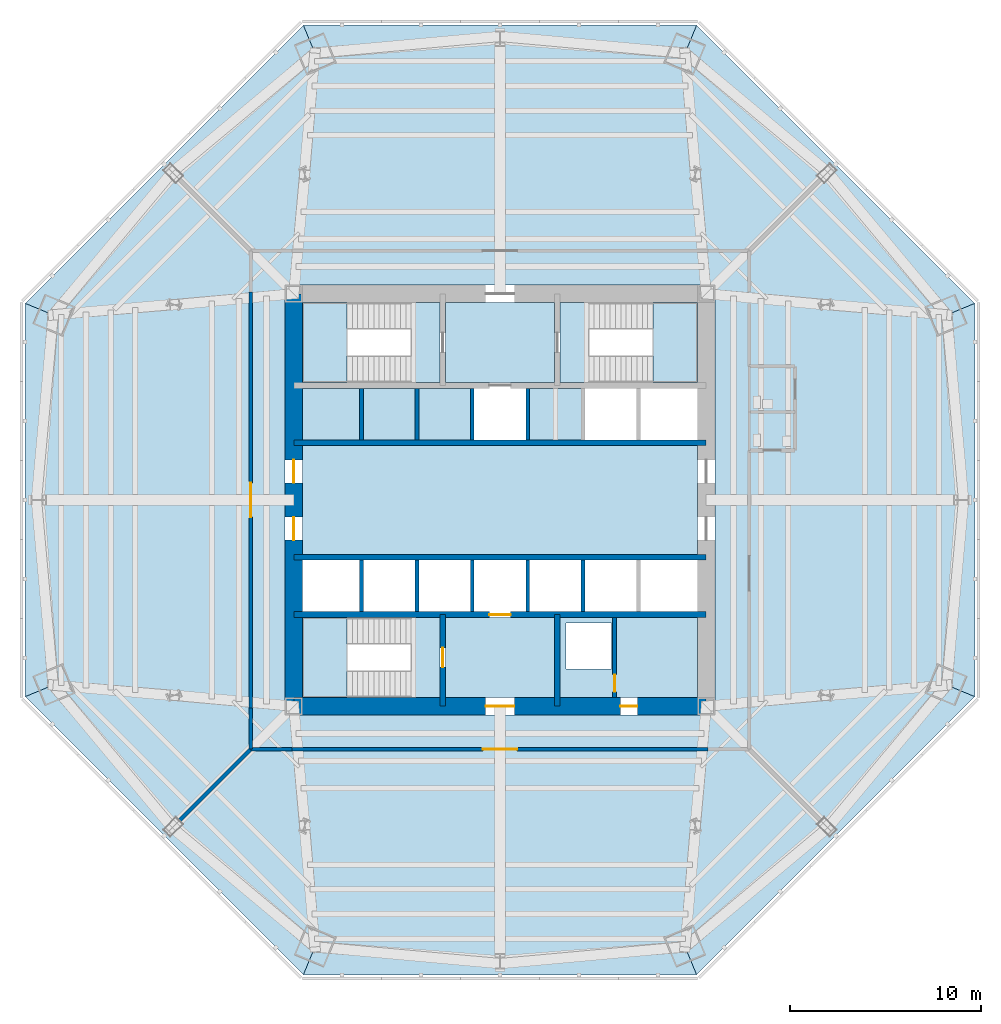
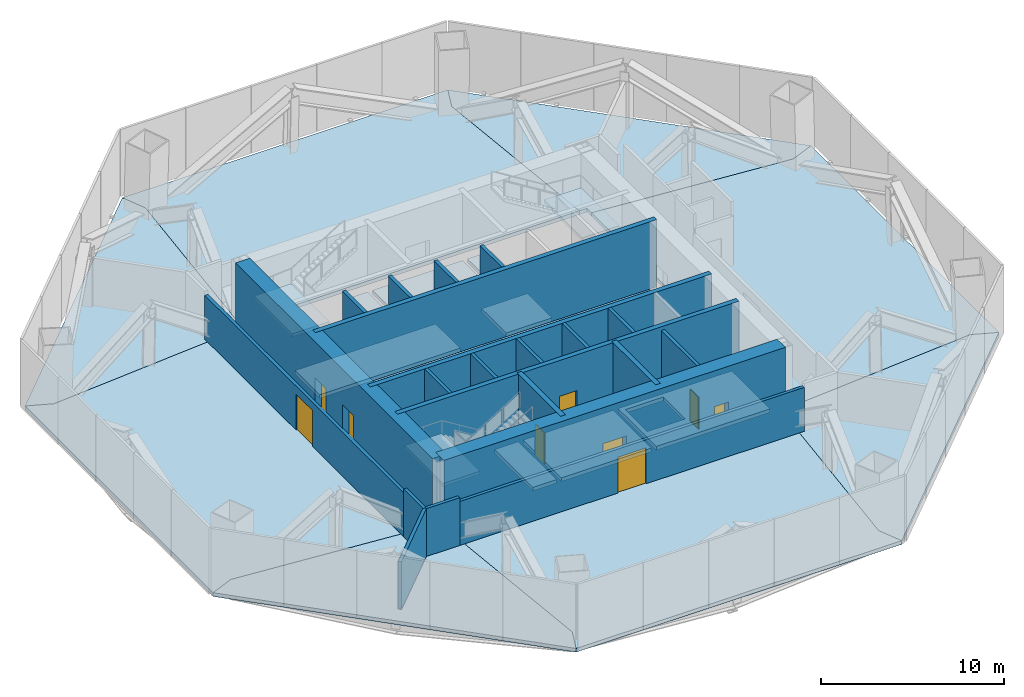
# One storey, part 4 of 9: 22 walls, 20 slabs, 9 doors, 9 openings, 3 elements without a shape of their own.
"""IFC4 building model written with IfcOpenShell, lengths in metres."""

from ifc_helpers import new_model, si_unit, direction, frame, frame_2d, origin, place, context, subcontext, project, spatial, polyline, rectangle, outline, extrude, material, layer, layer_set, type_object, element, fill, aggregate, save


model = new_model("IFC4")

# Units and contexts
model_context = context("Model", 3, precision=1e-05, world=origin(), true_north=direction((0.0, 1.0)))
body_context = subcontext(model_context, "Body", "Model", "MODEL_VIEW")
ifc_project = project(units=[si_unit("LENGTHUNIT", "METRE"), si_unit("AREAUNIT", "SQUARE_METRE"), si_unit("VOLUMEUNIT", "CUBIC_METRE"), si_unit("PLANEANGLEUNIT", "RADIAN"), si_unit("MASSUNIT", "GRAM", prefix="KILO")], contexts=[model_context])

# Site, building, storey
site_placement = place(None, origin())
site = spatial("IfcSite", under=ifc_project, at=site_placement, CompositionType="ELEMENT")
building_placement = place(site_placement, origin())
building = spatial("IfcBuilding", under=site, at=building_placement, Name="Mashrafa Tower", CompositionType="ELEMENT")
storey_placement = place(building_placement, frame((0.0, 0.0, 104.39990234375)))
storey = spatial("IfcBuildingStorey", under=building, at=storey_placement, Name="L23", CompositionType="ELEMENT", Elevation=104.39990234375)

# Slabs
ifc_material_1 = material(Name="Concrete C35/45", Category="concrete")
ifc_layer_1 = layer(ifc_material_1, 0.25)
ifc_layer_set_1 = layer_set([ifc_layer_1], Name="Floor slab 250")
slab_type_1 = type_object("IfcSlabType", Name="Floor slab 250", PredefinedType="FLOOR", material=ifc_layer_set_1)
slab_1_placement = place(storey_placement, frame((0.0, 0.0, -0.25)))
element("IfcSlab", 1, at=slab_1_placement, inside=storey, type_object=slab_type_1, Name="Floor slab L23 east bay", PredefinedType="FLOOR", context=body_context, shape_type="SweptSolid", body=[
    extrude(outline(polyline([(24.861328125, 10.2978515625), (24.861328125, -10.2978515625), (24.861328125, -10.2978515625), (23.390380859375, -9.688720703125), (11.25, -10.76025390625), (11.25, 10.76025390625), (23.390380859375, 9.688720703125), (24.861328125, 10.2978515625), (24.861328125, 10.2978515625)])), origin(), (0.0, 0.0, 1.0), 0.25),
])
slab_2_placement = place(storey_placement, frame((0.0, 0.0, -0.25)))
element("IfcSlab", 2, at=slab_2_placement, inside=storey, type_object=slab_type_1, Name="Floor slab L23 north-east bay", PredefinedType="FLOOR", context=body_context, shape_type="SweptSolid", body=[
    extrude(outline(polyline([(24.861328125, 10.2978515625), (23.390380859375, 9.688720703125), (11.25, 10.76025390625), (11.25, 11.25), (10.76025390625, 11.25), (9.688720703125, 23.390380859375), (10.2978515625, 24.861328125), (24.861328125, 10.2978515625)])), origin(), (0.0, 0.0, 1.0), 0.25),
])
slab_3_placement = place(storey_placement, frame((0.0, 0.0, -0.25)))
element("IfcSlab", 3, at=slab_3_placement, inside=storey, type_object=slab_type_1, Name="Floor slab L23 north bay", PredefinedType="FLOOR", context=body_context, shape_type="SweptSolid", body=[
    extrude(outline(polyline([(-10.2978515625, 24.861328125), (10.2978515625, 24.861328125), (10.2978515625, 24.861328125), (9.688720703125, 23.390380859375), (10.76025390625, 11.25), (-10.76025390625, 11.25), (-9.688720703125, 23.390380859375), (-10.2978515625, 24.861328125), (-10.2978515625, 24.861328125)])), origin(), (0.0, 0.0, 1.0), 0.25),
])
slab_4_placement = place(storey_placement, frame((0.0, 0.0, -0.25)))
element("IfcSlab", 4, at=slab_4_placement, inside=storey, type_object=slab_type_1, Name="Floor slab L23 north-west bay", PredefinedType="FLOOR", context=body_context, shape_type="SweptSolid", body=[
    extrude(outline(polyline([(-10.2978515625, 24.861328125), (-9.688720703125, 23.390380859375), (-10.76025390625, 11.25), (-11.25, 11.25), (-11.25, 10.76025390625), (-23.390380859375, 9.688720703125), (-24.861328125, 10.2978515625), (-10.2978515625, 24.861328125)])), origin(), (0.0, 0.0, 1.0), 0.25),
])
slab_5_placement = place(storey_placement, frame((0.0, 0.0, -0.25)))
element("IfcSlab", 5, at=slab_5_placement, inside=storey, type_object=slab_type_1, Name="Floor slab L23 west bay", PredefinedType="FLOOR", context=body_context, shape_type="SweptSolid", body=[
    extrude(outline(polyline([(-24.861328125, -10.2978515625), (-24.861328125, 10.2978515625), (-24.861328125, 10.2978515625), (-23.390380859375, 9.688720703125), (-11.25, 10.76025390625), (-11.25, -10.76025390625), (-23.390380859375, -9.688720703125), (-24.861328125, -10.2978515625), (-24.861328125, -10.2978515625)])), origin(), (0.0, 0.0, 1.0), 0.25),
])
slab_6_placement = place(storey_placement, frame((0.0, 0.0, -0.25)))
element("IfcSlab", 6, at=slab_6_placement, inside=storey, type_object=slab_type_1, Name="Floor slab L23 south-west bay", PredefinedType="FLOOR", context=body_context, shape_type="SweptSolid", body=[
    extrude(outline(polyline([(-24.861328125, -10.2978515625), (-23.390380859375, -9.688720703125), (-11.25, -10.76025390625), (-11.25, -11.25), (-10.76025390625, -11.25), (-9.688720703125, -23.390380859375), (-10.2978515625, -24.861328125), (-24.861328125, -10.2978515625)])), origin(), (0.0, 0.0, 1.0), 0.25),
])
slab_7_placement = place(storey_placement, frame((0.0, 0.0, -0.25)))
element("IfcSlab", 7, at=slab_7_placement, inside=storey, type_object=slab_type_1, Name="Floor slab L23 south bay", PredefinedType="FLOOR", context=body_context, shape_type="SweptSolid", body=[
    extrude(outline(polyline([(-10.2978515625, -24.861328125), (-10.2978515625, -24.861328125), (-9.688720703125, -23.390380859375), (-10.76025390625, -11.25), (10.76025390625, -11.25), (9.688720703125, -23.390380859375), (10.2978515625, -24.861328125), (10.2978515625, -24.861328125), (-10.2978515625, -24.861328125)])), origin(), (0.0, 0.0, 1.0), 0.25),
])
slab_8_placement = place(storey_placement, frame((0.0, 0.0, -0.25)))
element("IfcSlab", 8, at=slab_8_placement, inside=storey, type_object=slab_type_1, Name="Floor slab L23 south-east bay", PredefinedType="FLOOR", context=body_context, shape_type="SweptSolid", body=[
    extrude(outline(polyline([(10.2978515625, -24.861328125), (9.688720703125, -23.390380859375), (10.76025390625, -11.25), (11.25, -11.25), (11.25, -10.76025390625), (23.390380859375, -9.688720703125), (24.861328125, -10.2978515625), (10.2978515625, -24.861328125)])), origin(), (0.0, 0.0, 1.0), 0.25),
])
slab_9_placement = place(storey_placement, frame((0.0, 0.0, -0.25)))
element("IfcSlab", 9, at=slab_9_placement, inside=storey, type_object=slab_type_1, Name="Core floor lift hall L23", PredefinedType="FLOOR", context=body_context, shape_type="SweptSolid", body=[
    extrude(outline(polyline([(-10.35009765625, 2.85009765625), (10.35009765625, 2.85009765625), (10.35009765625, -2.85009765625), (-10.35009765625, -2.85009765625), (-10.35009765625, 2.85009765625)])), origin(), (0.0, 0.0, 1.0), 0.25),
])
slab_10_placement = place(storey_placement, frame((0.0, 0.0, -0.25)))
element("IfcSlab", 10, at=slab_10_placement, inside=storey, type_object=slab_type_1, Name="Core floor riser and electrical band L23", PredefinedType="FLOOR", context=body_context, shape_type="SweptSolid", body=[
    extrude(outline(polyline([(10.35009765625, -6.14990234375), (10.35009765625, -10.35009765625), (3.14990234375, -10.35009765625), (3.14990234375, -6.14990234375), (10.35009765625, -6.14990234375)]), holes=[polyline([(3.449951171875, -8.85009765625), (5.85009765625, -8.85009765625), (5.85009765625, -6.449951171875), (3.449951171875, -6.449951171875), (3.449951171875, -8.85009765625)])]), origin(), (0.0, 0.0, 1.0), 0.25),
])
slab_11_placement = place(storey_placement, frame((0.0, 0.0, -0.25)))
element("IfcSlab", 11, at=slab_11_placement, inside=storey, type_object=slab_type_1, Name="Core floor lift cell L23", PredefinedType="FLOOR", context=body_context, shape_type="SweptSolid", body=[
    extrude(outline(polyline([(-1.449951171875, 3.14990234375), (-10.35009765625, 3.14990234375), (-10.35009765625, 5.85009765625), (-1.449951171875, 5.85009765625), (-1.449951171875, 3.14990234375)])), origin(), (0.0, 0.0, 1.0), 0.25),
])
slab_12_placement = place(storey_placement, frame((0.0, 0.0, -0.25)))
element("IfcSlab", 12, at=slab_12_placement, inside=storey, type_object=slab_type_1, Name="Core floor fire-fighting lobby north L23", PredefinedType="FLOOR", context=body_context, shape_type="SweptSolid", body=[
    extrude(outline(polyline([(-2.85009765625, 10.35009765625), (2.85009765625, 10.35009765625), (2.85009765625, 6.14990234375), (-2.85009765625, 6.14990234375), (-2.85009765625, 10.35009765625)])), origin(), (0.0, 0.0, 1.0), 0.25),
])
slab_13_placement = place(storey_placement, frame((0.0, 0.0, -0.25)))
element("IfcSlab", 13, at=slab_13_placement, inside=storey, type_object=slab_type_1, Name="Core floor fire-fighting lobby south L23", PredefinedType="FLOOR", context=body_context, shape_type="SweptSolid", body=[
    extrude(outline(polyline([(2.85009765625, -6.14990234375), (2.85009765625, -10.35009765625), (-2.85009765625, -10.35009765625), (-2.85009765625, -6.14990234375), (2.85009765625, -6.14990234375)])), origin(), (0.0, 0.0, 1.0), 0.25),
])
slab_14_placement = place(storey_placement, frame((0.0, 0.0, -0.25)))
element("IfcSlab", 14, at=slab_14_placement, inside=storey, type_object=slab_type_1, Name="Core floor lift cell L23", PredefinedType="FLOOR", context=body_context, shape_type="SweptSolid", body=[
    extrude(outline(polyline([(4.35009765625, 5.85009765625), (4.35009765625, 3.14990234375), (1.449951171875, 3.14990234375), (1.449951171875, 5.85009765625), (4.35009765625, 5.85009765625)])), origin(), (0.0, 0.0, 1.0), 0.25),
])

# Stair, slab
ifc_material_2 = material(Name="Exit stair 1400")
stair_type = type_object("IfcStairType", Name="Exit stair 1400", PredefinedType="HALF_TURN_STAIR", material=ifc_material_2)
stair_1_placement = place(storey_placement, origin())
stair_1 = element("IfcStair", 15, at=stair_1_placement, inside=storey, type_object=stair_type, Name="Stair S1 L23", PredefinedType="HALF_TURN_STAIR")
ifc_material_3 = material(Name="Concrete C32/40", Category="concrete")
ifc_layer_2 = layer(ifc_material_3, 0.199951171875)
ifc_layer_set_2 = layer_set([ifc_layer_2], Name="Stair landing 200")
slab_type_2 = type_object("IfcSlabType", Name="Stair landing 200", PredefinedType="LANDING", material=ifc_layer_set_2)
slab_15_placement = place(storey_placement, frame((0.0, 0.0, 2.050048828125)))
slab_15 = element("IfcSlab", 16, at=slab_15_placement, type_object=slab_type_2, Name="S1 landing 2", PredefinedType="LANDING", context=body_context, shape_type="SweptSolid", body=[
    extrude(outline(polyline([(-10.35009765625, 6.14990234375), (-8.0, 6.14990234375), (-8.0, 10.35009765625), (-10.35009765625, 10.35009765625), (-10.35009765625, 6.14990234375)])), origin(), (0.0, 0.0, 1.0), 0.199951171875),
])

stair_2_placement = place(storey_placement, origin())
stair_2 = element("IfcStair", 17, at=stair_2_placement, inside=storey, type_object=stair_type, Name="Stair S2 L23", PredefinedType="HALF_TURN_STAIR")
slab_16_placement = place(storey_placement, frame((0.0, 0.0, 2.050048828125)))
slab_16 = element("IfcSlab", 18, at=slab_16_placement, type_object=slab_type_2, Name="S2 landing 2", PredefinedType="LANDING", context=body_context, shape_type="SweptSolid", body=[
    extrude(outline(polyline([(8.0, 6.14990234375), (10.35009765625, 6.14990234375), (10.35009765625, 10.35009765625), (8.0, 10.35009765625), (8.0, 6.14990234375)])), origin(), (0.0, 0.0, 1.0), 0.199951171875),
])

stair_3_placement = place(storey_placement, origin())
stair_3 = element("IfcStair", 19, at=stair_3_placement, inside=storey, type_object=stair_type, Name="Stair S3 L23", PredefinedType="HALF_TURN_STAIR")
slab_17_placement = place(storey_placement, frame((0.0, 0.0, 2.050048828125)))
slab_17 = element("IfcSlab", 20, at=slab_17_placement, type_object=slab_type_2, Name="S3 landing 2", PredefinedType="LANDING", context=body_context, shape_type="SweptSolid", body=[
    extrude(outline(polyline([(-10.35009765625, -10.35009765625), (-8.0, -10.35009765625), (-8.0, -6.14990234375), (-10.35009765625, -6.14990234375), (-10.35009765625, -10.35009765625)])), origin(), (0.0, 0.0, 1.0), 0.199951171875),
])

# Slab
ifc_material_4 = material(Name="Concrete C32/40", Category="concrete")
ifc_layer_3 = layer(ifc_material_4, 0.25)
ifc_layer_set_3 = layer_set([ifc_layer_3], Name="Stair landing 250")
slab_type_3 = type_object("IfcSlabType", Name="Stair landing 250", PredefinedType="LANDING", material=ifc_layer_set_3)
slab_18_placement = place(storey_placement, frame((0.0, 0.0, -0.25)))
slab_18 = element("IfcSlab", 21, at=slab_18_placement, type_object=slab_type_3, Name="S1 landing 1", PredefinedType="LANDING", context=body_context, shape_type="SweptSolid", body=[
    extrude(outline(polyline([(-4.659912109375, 6.14990234375), (-3.14990234375, 6.14990234375), (-3.14990234375, 10.35009765625), (-4.659912109375, 10.35009765625), (-4.659912109375, 6.14990234375)])), origin(), (0.0, 0.0, 1.0), 0.25),
])

aggregate(stair_1, [slab_18, slab_15])

slab_19_placement = place(storey_placement, frame((0.0, 0.0, -0.25)))
slab_19 = element("IfcSlab", 22, at=slab_19_placement, type_object=slab_type_3, Name="S2 landing 1", PredefinedType="LANDING", context=body_context, shape_type="SweptSolid", body=[
    extrude(outline(polyline([(3.14990234375, 6.14990234375), (4.659912109375, 6.14990234375), (4.659912109375, 10.35009765625), (3.14990234375, 10.35009765625), (3.14990234375, 6.14990234375)])), origin(), (0.0, 0.0, 1.0), 0.25),
])

aggregate(stair_2, [slab_19, slab_16])

slab_20_placement = place(storey_placement, frame((0.0, 0.0, -0.25)))
slab_20 = element("IfcSlab", 23, at=slab_20_placement, type_object=slab_type_3, Name="S3 landing 1", PredefinedType="LANDING", context=body_context, shape_type="SweptSolid", body=[
    extrude(outline(polyline([(-4.659912109375, -10.35009765625), (-3.14990234375, -10.35009765625), (-3.14990234375, -6.14990234375), (-4.659912109375, -6.14990234375), (-4.659912109375, -10.35009765625)])), origin(), (0.0, 0.0, 1.0), 0.25),
])

aggregate(stair_3, [slab_20, slab_17])

# Wall, opening, door
ifc_material_5 = material(Name="Concrete masonry unit", Category="masonry")
ifc_layer_4 = layer(ifc_material_5, 0.199951171875)
ifc_layer_set_4 = layer_set([ifc_layer_4], Name="Blockwork wall 200 2 hr")
wall_type_1 = type_object("IfcWallType", Name="Blockwork wall 200 2 hr", PredefinedType="PARTITIONING", material=ifc_layer_set_4)
wall_1_placement = place(storey_placement, frame((-13.050048828125, 10.895263671875, 0.0), z_axis=(0.0, 0.0, 1.0), x_axis=(0.0, -1.0, 0.0)))
wall_1 = element("IfcWall", 24, at=wall_1_placement, inside=storey, type_object=wall_type_1, Name="Blockwork wall L23-008", PredefinedType="PARTITIONING", context=body_context, shape_type="SweptSolid", body=[
    extrude(rectangle(XDim=21.79052734375, YDim=0.199951171875, at=frame_2d((10.895263671875, 0.0))), origin(), (0.0, 0.0, 1.0), 2.940185546875),
])
opening_1_placement = place(wall_1_placement, frame((9.995361328125, 0.0, 0.0)))
opening_1 = element("IfcOpeningElement", 25, at=opening_1_placement, cuts=wall_1, Name="Opening 23.004", PredefinedType="OPENING", context=body_context, shape_type="SweptSolid", body=[
    extrude(rectangle(XDim=1.800048828125, YDim=2.39990234375, at=frame_2d((0.89990234375, 1.199951171875))), frame((0.0, 0.10986328125, 0.0), z_axis=(0.0, -1.0, 0.0), x_axis=(1.0, 0.0, 0.0)), (0.0, 0.0, 1.0), 0.219970703125),
])
ifc_material_6 = material(Name="Steel door", Category="steel")
door_type_1 = type_object("IfcDoorType", Name="Door pair 1800 x 2400 90 min", OperationType="DOUBLE_DOOR_SINGLE_SWING", PredefinedType="DOOR", material=ifc_material_6)
door_1_placement = place(opening_1_placement, origin())
door_1 = element("IfcDoor", 26, at=door_1_placement, inside=storey, type_object=door_type_1, Name="Refuge Area L23 West door", OperationType="DOUBLE_DOOR_SINGLE_SWING", OverallHeight=2.39990234375, OverallWidth=1.800048828125, PredefinedType="DOOR", context=body_context, shape_type="SweptSolid", body=[
    extrude(rectangle(XDim=1.800048828125, YDim=2.39990234375, at=frame_2d((0.89990234375, 1.199951171875))), frame((0.0, 0.02490234375, 0.0), z_axis=(0.0, -1.0, 0.0), x_axis=(1.0, 0.0, 0.0)), (0.0, 0.0, 1.0), 0.050048828125),
])
fill(opening_1, door_1)

# Walls
for number, where, z_axis, x_axis, name in (
    (27, (-13.050048828125, -10.897216796875, 0.0), (0.0, 0.0, 1.0), (0.0, -1.0, 0.0), "Blockwork wall L23-009"),
    (28, (-13.050048828125, -13.050048828125, 0.0), (0.0, 0.0, 1.0), (1.0, 0.0, 0.0), "Blockwork wall L23-013"),
):
    element("IfcWall", number, at=place(storey_placement, frame(where, z_axis=z_axis, x_axis=x_axis)), inside=storey, type_object=wall_type_1, Name=name, PredefinedType="PARTITIONING", context=body_context, shape_type="SweptSolid", body=[
        extrude(rectangle(XDim=2.15283203125, YDim=0.199951171875, at=frame_2d((1.076416015625, 0.0))), origin(), (0.0, 0.0, 1.0), 3.19873046875),
    ])

# Wall, opening, door
wall_2_placement = place(storey_placement, frame((-10.895263671875, -13.050048828125, 0.0), z_axis=(0.0, 0.0, 1.0), x_axis=(1.0, 0.0, 0.0)))
wall_2 = element("IfcWall", 29, at=wall_2_placement, inside=storey, type_object=wall_type_1, Name="Blockwork wall L23-014", PredefinedType="PARTITIONING", context=body_context, shape_type="SweptSolid", body=[
    extrude(rectangle(XDim=21.79052734375, YDim=0.199951171875, at=frame_2d((10.895263671875, 0.0))), origin(), (0.0, 0.0, 1.0), 2.940185546875),
])
opening_2_placement = place(wall_2_placement, frame((9.995361328125, 0.0, 0.0)))
opening_2 = element("IfcOpeningElement", 30, at=opening_2_placement, cuts=wall_2, Name="Opening 23.006", PredefinedType="OPENING", context=body_context, shape_type="SweptSolid", body=[
    extrude(rectangle(XDim=1.800048828125, YDim=2.39990234375, at=frame_2d((0.89990234375, 1.199951171875))), frame((0.0, 0.10986328125, 0.0), z_axis=(0.0, -1.0, 0.0), x_axis=(1.0, 0.0, 0.0)), (0.0, 0.0, 1.0), 0.219970703125),
])
door_2_placement = place(opening_2_placement, frame((1.800048828125, 0.0, 0.0), z_axis=(0.0, 0.0, 1.0), x_axis=(-1.0, 0.0, 0.0)))
door_2 = element("IfcDoor", 31, at=door_2_placement, inside=storey, type_object=door_type_1, Name="Air Handling Plant Room L23 door", OperationType="DOUBLE_DOOR_SINGLE_SWING", OverallHeight=2.39990234375, OverallWidth=1.800048828125, PredefinedType="DOOR", context=body_context, shape_type="SweptSolid", body=[
    extrude(rectangle(XDim=1.800048828125, YDim=2.39990234375, at=frame_2d((0.89990234375, 1.199951171875))), frame((0.0, 0.02490234375, 0.0), z_axis=(0.0, -1.0, 0.0), x_axis=(1.0, 0.0, 0.0)), (0.0, 0.0, 1.0), 0.050048828125),
])
fill(opening_2, door_2)

# Wall
wall_3_placement = place(storey_placement, frame((-16.782958984375, -16.782958984375, 0.0), z_axis=(0.0, 0.0, 1.0), x_axis=(0.707106781187, 0.707106781187, 0.0)))
element("IfcWall", 32, at=wall_3_placement, inside=storey, type_object=wall_type_1, Name="Blockwork wall L23-024", PredefinedType="PARTITIONING", context=body_context, shape_type="SweptSolid", body=[
    extrude(rectangle(XDim=5.279052734375, YDim=0.199951171875, at=frame_2d((2.6396484375, 0.0))), origin(), (0.0, 0.0, 1.0), 3.19873046875),
])

# Wall, opening, door
wall_4_placement = place(storey_placement, frame((6.0, -10.35009765625, 0.0), z_axis=(0.0, 0.0, 1.0), x_axis=(0.0, 1.0, 0.0)))
wall_4 = element("IfcWall", 33, at=wall_4_placement, inside=storey, type_object=wall_type_1, Name="Riser enclosure wall L23", PredefinedType="PARTITIONING", context=body_context, shape_type="SweptSolid", body=[
    extrude(rectangle(XDim=4.2001953125, YDim=0.199951171875, at=frame_2d((2.10009765625, 0.0))), origin(), (0.0, 0.0, 1.0), 4.25),
])
opening_3_placement = place(wall_4_placement, frame((0.300048828125, 0.0, 0.0)))
opening_3 = element("IfcOpeningElement", 34, at=opening_3_placement, cuts=wall_4, Name="Opening 23.017", PredefinedType="OPENING", context=body_context, shape_type="SweptSolid", body=[
    extrude(rectangle(XDim=0.89990234375, YDim=2.10009765625, at=frame_2d((0.449951171875, 1.050048828125))), frame((0.0, 0.10986328125, 0.0), z_axis=(0.0, -1.0, 0.0), x_axis=(1.0, 0.0, 0.0)), (0.0, 0.0, 1.0), 0.219970703125),
])
ifc_material_7 = material(Name="Steel door", Category="steel")
door_type_2 = type_object("IfcDoorType", Name="Service door 900 x 2100 90 min", OperationType="USERDEFINED", PredefinedType="DOOR", material=ifc_material_7)
door_3_placement = place(opening_3_placement, origin())
door_3 = element("IfcDoor", 35, at=door_3_placement, inside=storey, type_object=door_type_2, Name="Riser door L23", OperationType="SINGLE_SWING_LEFT", OverallHeight=2.10009765625, OverallWidth=0.89990234375, PredefinedType="DOOR", context=body_context, shape_type="SweptSolid", body=[
    extrude(rectangle(XDim=0.89990234375, YDim=2.10009765625, at=frame_2d((0.449951171875, 1.050048828125))), frame((0.0, 0.02490234375, 0.0), z_axis=(0.0, -1.0, 0.0), x_axis=(1.0, 0.0, 0.0)), (0.0, 0.0, 1.0), 0.050048828125),
])
fill(opening_3, door_3)

# Walls
ifc_material_8 = material(Name="Concrete C60/75", Category="concrete")
ifc_layer_5 = layer(ifc_material_8, 0.300048828125)
ifc_layer_set_5 = layer_set([ifc_layer_5], Name="Core wall 300 C60/75")
wall_type_2 = type_object("IfcWallType", Name="Core wall 300 C60/75", PredefinedType="SOLIDWALL", material=ifc_layer_set_5)
for number, where, z_axis, x_axis, name in (
    (36, (-10.800048828125, 3.0, 0.0), (0.0, 0.0, 1.0), (1.0, 0.0, 0.0), "Core wall CH-N L23"),
    (37, (-10.800048828125, -3.0, 0.0), (0.0, 0.0, 1.0), (1.0, 0.0, 0.0), "Core wall CH-S L23"),
):
    element("IfcWall", number, at=place(storey_placement, frame(where, z_axis=z_axis, x_axis=x_axis)), inside=storey, type_object=wall_type_2, Name=name, PredefinedType="SOLIDWALL", context=body_context, shape_type="SweptSolid", body=[
        extrude(rectangle(XDim=21.60009765625, YDim=0.300048828125, at=frame_2d((10.800048828125, 0.0))), origin(), (0.0, 0.0, 1.0), 4.5),
    ])

# Wall, opening, door
wall_5_placement = place(storey_placement, frame((-10.800048828125, -6.0, 0.0), z_axis=(0.0, 0.0, 1.0), x_axis=(1.0, 0.0, 0.0)))
wall_5 = element("IfcWall", 38, at=wall_5_placement, inside=storey, type_object=wall_type_2, Name="Core wall CB-S L23", PredefinedType="SOLIDWALL", context=body_context, shape_type="SweptSolid", body=[
    extrude(rectangle(XDim=21.60009765625, YDim=0.300048828125, at=frame_2d((10.800048828125, 0.0))), origin(), (0.0, 0.0, 1.0), 4.5),
])
opening_4_placement = place(wall_5_placement, frame((10.25, 0.0, 0.0)))
opening_4 = element("IfcOpeningElement", 39, at=opening_4_placement, cuts=wall_5, Name="Opening 23.F2", PredefinedType="OPENING", context=body_context, shape_type="SweptSolid", body=[
    extrude(rectangle(XDim=1.10009765625, YDim=2.10009765625, at=frame_2d((0.550048828125, 1.050048828125))), frame((0.0, 0.159912109375, 0.0), z_axis=(0.0, -1.0, 0.0), x_axis=(1.0, 0.0, 0.0)), (0.0, 0.0, 1.0), 0.320068359375),
])
ifc_material_9 = material(Name="Steel door", Category="steel")
door_type_3 = type_object("IfcDoorType", Name="Lift landing door 1100 x 2100 90 min", OperationType="DOUBLE_DOOR_SLIDING", PredefinedType="DOOR", material=ifc_material_9)
door_4_placement = place(opening_4_placement, origin())
door_4 = element("IfcDoor", 40, at=door_4_placement, inside=storey, type_object=door_type_3, Name="Lift landing door F2 L23", OperationType="DOUBLE_DOOR_SLIDING", OverallHeight=2.10009765625, OverallWidth=1.10009765625, PredefinedType="DOOR", context=body_context, shape_type="SweptSolid", body=[
    extrude(rectangle(XDim=1.10009765625, YDim=2.10009765625, at=frame_2d((0.550048828125, 1.050048828125))), frame((0.0, 0.02490234375, 0.0), z_axis=(0.0, -1.0, 0.0), x_axis=(1.0, 0.0, 0.0)), (0.0, 0.0, 1.0), 0.050048828125),
])
fill(opening_4, door_4)

wall_6_placement = place(storey_placement, frame((-3.0, -6.0, 0.0), z_axis=(0.0, 0.0, 1.0), x_axis=(0.0, -1.0, 0.0)))
wall_6 = element("IfcWall", 41, at=wall_6_placement, inside=storey, type_object=wall_type_2, Name="Core wall CX-SW L23", PredefinedType="SOLIDWALL", context=body_context, shape_type="SweptSolid", body=[
    extrude(rectangle(XDim=4.800048828125, YDim=0.300048828125, at=frame_2d((2.39990234375, 0.0))), origin(), (0.0, 0.0, 1.0), 4.5),
])
opening_5_placement = place(wall_6_placement, frame((1.75, 0.0, 0.0)))
opening_5 = element("IfcOpeningElement", 42, at=opening_5_placement, cuts=wall_6, Name="Opening 23.015", PredefinedType="OPENING", context=body_context, shape_type="SweptSolid", body=[
    extrude(rectangle(XDim=1.0, YDim=2.10009765625, at=frame_2d((0.5, 1.050048828125))), frame((0.0, 0.159912109375, 0.0), z_axis=(0.0, -1.0, 0.0), x_axis=(1.0, 0.0, 0.0)), (0.0, 0.0, 1.0), 0.320068359375),
])
ifc_material_10 = material(Name="Steel door", Category="steel")
door_type_4 = type_object("IfcDoorType", Name="Stair door 1000 x 2100 90 min", OperationType="USERDEFINED", PredefinedType="DOOR", material=ifc_material_10)
door_5_placement = place(opening_5_placement, frame((1.0, 0.0, 0.0), z_axis=(0.0, 0.0, 1.0), x_axis=(-1.0, 0.0, 0.0)))
door_5 = element("IfcDoor", 43, at=door_5_placement, inside=storey, type_object=door_type_4, Name="Stair S3 door L23", OperationType="SINGLE_SWING_RIGHT", OverallHeight=2.10009765625, OverallWidth=1.0, PredefinedType="DOOR", context=body_context, shape_type="SweptSolid", body=[
    extrude(rectangle(XDim=1.0, YDim=2.10009765625, at=frame_2d((0.5, 1.050048828125))), frame((0.0, 0.02490234375, 0.0), z_axis=(0.0, -1.0, 0.0), x_axis=(1.0, 0.0, 0.0)), (0.0, 0.0, 1.0), 0.050048828125),
])
fill(opening_5, door_5)

# Wall
wall_7_placement = place(storey_placement, frame((3.0, -6.0, 0.0), z_axis=(0.0, 0.0, 1.0), x_axis=(0.0, -1.0, 0.0)))
element("IfcWall", 44, at=wall_7_placement, inside=storey, type_object=wall_type_2, Name="Core wall CX-SE L23", PredefinedType="SOLIDWALL", context=body_context, shape_type="SweptSolid", body=[
    extrude(rectangle(XDim=4.800048828125, YDim=0.300048828125, at=frame_2d((2.39990234375, 0.0))), origin(), (0.0, 0.0, 1.0), 4.5),
])

# Wall, openings, doors
ifc_material_11 = material(Name="Concrete C60/75", Category="concrete")
ifc_layer_6 = layer(ifc_material_11, 0.89990234375)
ifc_layer_set_6 = layer_set([ifc_layer_6], Name="Core wall 900 C60/75")
wall_type_3 = type_object("IfcWallType", Name="Core wall 900 C60/75", PredefinedType="SOLIDWALL", material=ifc_layer_set_6)
wall_8_placement = place(storey_placement, frame((-10.800048828125, -10.800048828125, 0.0), z_axis=(0.0, 0.0, 1.0), x_axis=(1.0, 0.0, 0.0)))
wall_8 = element("IfcWall", 45, at=wall_8_placement, inside=storey, type_object=wall_type_3, Name="Core wall CW-S L23", PredefinedType="SOLIDWALL", context=body_context, shape_type="SweptSolid", body=[
    extrude(rectangle(XDim=21.60009765625, YDim=0.89990234375, at=frame_2d((10.800048828125, 0.0))), origin(), (0.0, 0.0, 1.0), 4.5),
])
opening_6_placement = place(wall_8_placement, frame((10.050048828125, 0.0, 0.0)))
opening_6 = element("IfcOpeningElement", 46, at=opening_6_placement, cuts=wall_8, Name="Opening 23.012", PredefinedType="OPENING", context=body_context, shape_type="SweptSolid", body=[
    extrude(rectangle(XDim=1.5, YDim=2.10009765625, at=frame_2d((0.75, 1.050048828125))), frame((0.0, 0.4599609375, 0.0), z_axis=(0.0, -1.0, 0.0), x_axis=(1.0, 0.0, 0.0)), (0.0, 0.0, 1.0), 0.919921875),
])
opening_7_placement = place(wall_8_placement, frame((17.10009765625, 0.0, 0.0)))
opening_7 = element("IfcOpeningElement", 47, at=opening_7_placement, cuts=wall_8, Name="Opening 23.016", PredefinedType="OPENING", context=body_context, shape_type="SweptSolid", body=[
    extrude(rectangle(XDim=0.89990234375, YDim=2.10009765625, at=frame_2d((0.449951171875, 1.050048828125))), frame((0.0, 0.4599609375, 0.0), z_axis=(0.0, -1.0, 0.0), x_axis=(1.0, 0.0, 0.0)), (0.0, 0.0, 1.0), 0.919921875),
])
ifc_material_12 = material(Name="Steel door", Category="steel")
door_type_5 = type_object("IfcDoorType", Name="Lobby door pair 1500 x 2100 90 min", OperationType="DOUBLE_DOOR_SINGLE_SWING", PredefinedType="DOOR", material=ifc_material_12)
door_6_placement = place(opening_6_placement, origin())
door_6 = element("IfcDoor", 48, at=door_6_placement, inside=storey, type_object=door_type_5, Name="Fire-fighting lobby F2 door L23", OperationType="DOUBLE_DOOR_SINGLE_SWING", OverallHeight=2.10009765625, OverallWidth=1.5, PredefinedType="DOOR", context=body_context, shape_type="SweptSolid", body=[
    extrude(rectangle(XDim=1.5, YDim=2.10009765625, at=frame_2d((0.75, 1.050048828125))), frame((0.0, 0.02490234375, 0.0), z_axis=(0.0, -1.0, 0.0), x_axis=(1.0, 0.0, 0.0)), (0.0, 0.0, 1.0), 0.050048828125),
])
fill(opening_6, door_6)
door_7_placement = place(opening_7_placement, origin())
door_7 = element("IfcDoor", 49, at=door_7_placement, inside=storey, type_object=door_type_2, Name="Plant Store L23 door", OperationType="SINGLE_SWING_LEFT", OverallHeight=2.10009765625, OverallWidth=0.89990234375, PredefinedType="DOOR", context=body_context, shape_type="SweptSolid", body=[
    extrude(rectangle(XDim=0.89990234375, YDim=2.10009765625, at=frame_2d((0.449951171875, 1.050048828125))), frame((0.0, 0.02490234375, 0.0), z_axis=(0.0, -1.0, 0.0), x_axis=(1.0, 0.0, 0.0)), (0.0, 0.0, 1.0), 0.050048828125),
])
fill(opening_7, door_7)

wall_9_placement = place(storey_placement, frame((-10.800048828125, 10.800048828125, 0.0), z_axis=(0.0, 0.0, 1.0), x_axis=(0.0, -1.0, 0.0)))
wall_9 = element("IfcWall", 50, at=wall_9_placement, inside=storey, type_object=wall_type_3, Name="Core wall CW-W L23", PredefinedType="SOLIDWALL", context=body_context, shape_type="SweptSolid", body=[
    extrude(rectangle(XDim=21.60009765625, YDim=0.89990234375, at=frame_2d((10.800048828125, 0.0))), origin(), (0.0, 0.0, 1.0), 4.5),
])
opening_8_placement = place(wall_9_placement, frame((8.699951171875, 0.0, 0.0)))
opening_8 = element("IfcOpeningElement", 51, at=opening_8_placement, cuts=wall_9, Name="Opening 23.008", PredefinedType="OPENING", context=body_context, shape_type="SweptSolid", body=[
    extrude(rectangle(XDim=1.199951171875, YDim=2.10009765625, at=frame_2d((0.60009765625, 1.050048828125))), frame((0.0, 0.4599609375, 0.0), z_axis=(0.0, -1.0, 0.0), x_axis=(1.0, 0.0, 0.0)), (0.0, 0.0, 1.0), 0.919921875),
])
opening_9_placement = place(wall_9_placement, frame((11.699951171875, 0.0, 0.0)))
opening_9 = element("IfcOpeningElement", 52, at=opening_9_placement, cuts=wall_9, Name="Opening 23.010", PredefinedType="OPENING", context=body_context, shape_type="SweptSolid", body=[
    extrude(rectangle(XDim=1.199951171875, YDim=2.10009765625, at=frame_2d((0.60009765625, 1.050048828125))), frame((0.0, 0.4599609375, 0.0), z_axis=(0.0, -1.0, 0.0), x_axis=(1.0, 0.0, 0.0)), (0.0, 0.0, 1.0), 0.919921875),
])
ifc_material_13 = material(Name="Steel door", Category="steel")
door_type_6 = type_object("IfcDoorType", Name="Lift hall door 1200 x 2100 90 min", OperationType="USERDEFINED", PredefinedType="DOOR", material=ifc_material_13)
door_8_placement = place(opening_8_placement, frame((1.199951171875, 0.0, 0.0), z_axis=(0.0, 0.0, 1.0), x_axis=(-1.0, 0.0, 0.0)))
door_8 = element("IfcDoor", 53, at=door_8_placement, inside=storey, type_object=door_type_6, Name="Lift hall door west L23", OperationType="SINGLE_SWING_RIGHT", OverallHeight=2.10009765625, OverallWidth=1.199951171875, PredefinedType="DOOR", context=body_context, shape_type="SweptSolid", body=[
    extrude(rectangle(XDim=1.199951171875, YDim=2.10009765625, at=frame_2d((0.60009765625, 1.050048828125))), frame((0.0, 0.02490234375, 0.0), z_axis=(0.0, -1.0, 0.0), x_axis=(1.0, 0.0, 0.0)), (0.0, 0.0, 1.0), 0.050048828125),
])
fill(opening_8, door_8)
door_9_placement = place(opening_9_placement, frame((1.199951171875, 0.0, 0.0), z_axis=(0.0, 0.0, 1.0), x_axis=(-1.0, 0.0, 0.0)))
door_9 = element("IfcDoor", 54, at=door_9_placement, inside=storey, type_object=door_type_6, Name="Lift hall door west L23", OperationType="SINGLE_SWING_LEFT", OverallHeight=2.10009765625, OverallWidth=1.199951171875, PredefinedType="DOOR", context=body_context, shape_type="SweptSolid", body=[
    extrude(rectangle(XDim=1.199951171875, YDim=2.10009765625, at=frame_2d((0.60009765625, 1.050048828125))), frame((0.0, 0.02490234375, 0.0), z_axis=(0.0, -1.0, 0.0), x_axis=(1.0, 0.0, 0.0)), (0.0, 0.0, 1.0), 0.050048828125),
])
fill(opening_9, door_9)

# Walls
ifc_material_14 = material(Name="Gypsum shaft wall on steel studs", Category="steel")
ifc_layer_7 = layer(ifc_material_14, 0.199951171875)
ifc_layer_set_7 = layer_set([ifc_layer_7], Name="Shaft divider wall 200 2 hr")
wall_type_4 = type_object("IfcWallType", Name="Shaft divider wall 200 2 hr", PredefinedType="PARTITIONING", material=ifc_layer_set_7)
for number, where, z_axis, x_axis, name in (
    (55, (-7.25, 3.14990234375, 0.0), (0.0, 0.0, 1.0), (0.0, 1.0, 0.0), "Shaft divider wall N1 L23"),
    (56, (-4.35009765625, 3.14990234375, 0.0), (0.0, 0.0, 1.0), (0.0, 1.0, 0.0), "Shaft divider wall N2 L23"),
    (57, (-1.449951171875, 3.14990234375, 0.0), (0.0, 0.0, 1.0), (0.0, 1.0, 0.0), "Shaft divider wall N3 L23"),
    (58, (1.449951171875, 3.14990234375, 0.0), (0.0, 0.0, 1.0), (0.0, 1.0, 0.0), "Shaft divider wall N4 L23"),
):
    element("IfcWall", number, at=place(storey_placement, frame(where, z_axis=z_axis, x_axis=x_axis)), inside=storey, type_object=wall_type_4, Name=name, PredefinedType="PARTITIONING", context=body_context, shape_type="SweptSolid", body=[
        extrude(rectangle(XDim=2.7001953125, YDim=0.199951171875, at=frame_2d((1.35009765625, 0.0))), origin(), (0.0, 0.0, 1.0), 4.25),
    ])
for number, where, z_axis, x_axis, name in (
    (59, (-7.25, -5.85009765625, 0.0), (0.0, 0.0, 1.0), (0.0, 1.0, 0.0), "Shaft divider wall S1 L23"),
    (60, (-4.35009765625, -5.85009765625, 0.0), (0.0, 0.0, 1.0), (0.0, 1.0, 0.0), "Shaft divider wall S2 L23"),
    (61, (-1.449951171875, -5.85009765625, 0.0), (0.0, 0.0, 1.0), (0.0, 1.0, 0.0), "Shaft divider wall S3 L23"),
    (62, (1.449951171875, -5.85009765625, 0.0), (0.0, 0.0, 1.0), (0.0, 1.0, 0.0), "Shaft divider wall S4 L23"),
    (63, (4.35009765625, -5.85009765625, 0.0), (0.0, 0.0, 1.0), (0.0, 1.0, 0.0), "Shaft divider wall S5 L23"),
):
    element("IfcWall", number, at=place(storey_placement, frame(where, z_axis=z_axis, x_axis=x_axis)), inside=storey, type_object=wall_type_4, Name=name, PredefinedType="PARTITIONING", context=body_context, shape_type="SweptSolid", body=[
        extrude(rectangle(XDim=2.7001953125, YDim=0.199951171875, at=frame_2d((1.35009765625, 0.0))), origin(), (0.0, 0.0, 1.0), 4.5),
    ])

save(model, "model.ifc")
